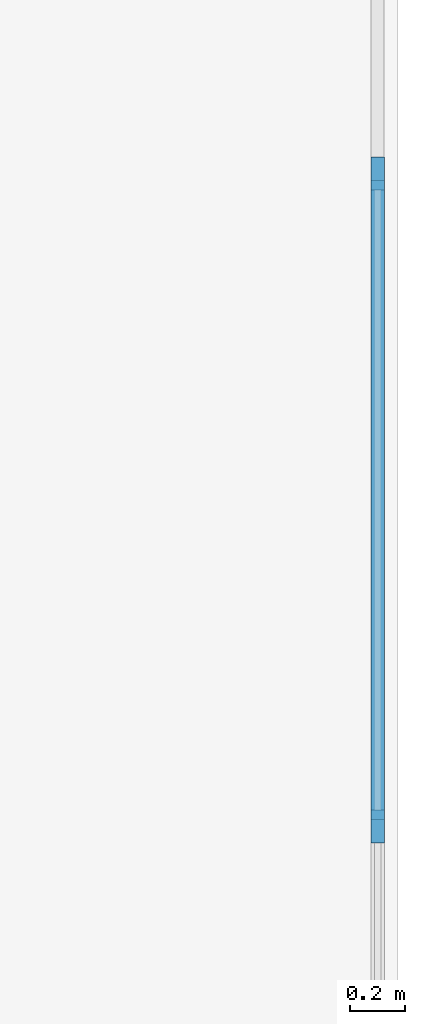
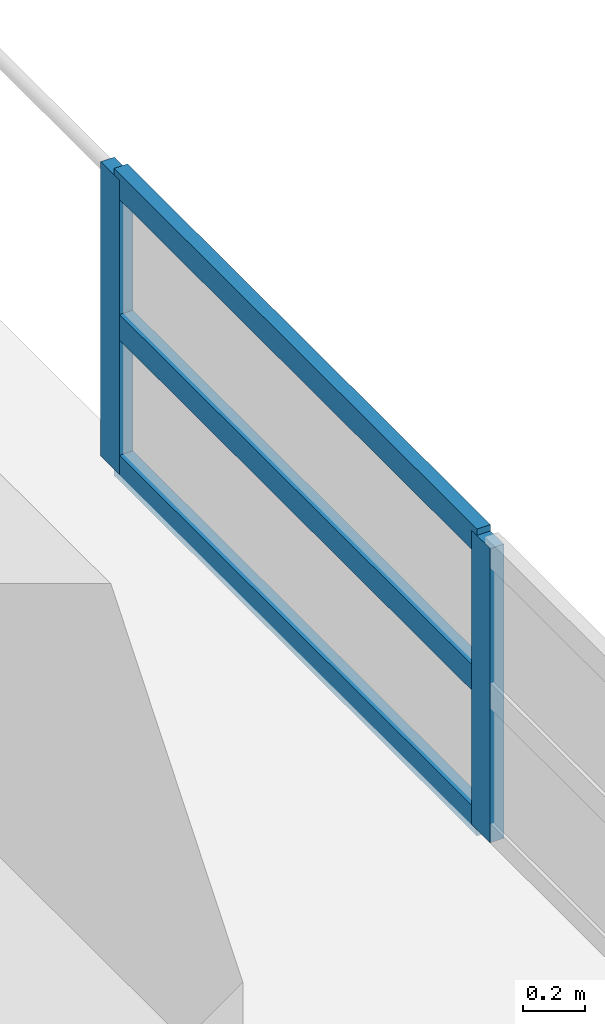
# One storey, part 10 of 17: 5 members, 1 element without a shape of its own.
"""IFC4 building model written with IfcOpenShell, lengths in metres."""

from ifc_helpers import new_model, si_unit, direction, frame, origin, origin_2d, place, context, subcontext, project, spatial, rectangle, extrude, source, transform, mapped, material, layer, layer_set, material_profile, profile_set, type_object, element, aggregate, save


model = new_model("IFC4")

# Units and contexts
model_context = context("Model", 3, precision=1e-05, world=origin(), true_north=direction((0.0, 1.0)))
body_context = subcontext(model_context, "Body", "Model", "MODEL_VIEW")
ifc_project = project(units=[si_unit("LENGTHUNIT", "METRE"), si_unit("AREAUNIT", "SQUARE_METRE"), si_unit("VOLUMEUNIT", "CUBIC_METRE"), si_unit("PLANEANGLEUNIT", "RADIAN"), si_unit("MASSUNIT", "GRAM", prefix="KILO")], contexts=[model_context])

# Site, building, storey
site_placement = place(None, origin())
site = spatial("IfcSite", under=ifc_project, at=site_placement, CompositionType="ELEMENT")
building_placement = place(site_placement, origin())
building = spatial("IfcBuilding", under=site, at=building_placement, Name="Saffron Iwan Residences", CompositionType="ELEMENT")
storey_placement = place(building_placement, frame((0.0, 0.0, 274.5)))
storey = spatial("IfcBuildingStorey", under=building, at=storey_placement, Name="L74", CompositionType="ELEMENT", Elevation=274.5)

# Curtain wall, members
ifc_material_1 = material(Name="Clear glass, laminated double glazed", Category="glass")
ifc_layer = layer(ifc_material_1, 0.10009765625)
ifc_layer_set = layer_set([ifc_layer], Name="Clear glass, laminated double glazed")
curtain_wall_type = type_object("IfcCurtainWallType", Name="CW-F ROOF TERRACE GLAZED GUARD", PredefinedType="NOTDEFINED", material=ifc_layer_set)
curtain_wall_placement = place(storey_placement, origin())
curtain_wall = element("IfcCurtainWall", 1, at=curtain_wall_placement, inside=storey, type_object=curtain_wall_type, Name="Glazed terrace guard F2.4", PredefinedType="NOTDEFINED")
ifc_material_2 = material(Name="Aluminium 6063-T6", Category="aluminium")
ifc_material_profile_1 = material_profile(ifc_material_2, rectangle(XDim=0.050048828125, YDim=0.1201171875, at=origin_2d()), Name="CW-F MULLION 50 x 120")
ifc_profile_set_1 = profile_set([ifc_material_profile_1], Name="Aluminium 6063-T6")
member_type_1 = type_object("IfcMemberType", Name="CW-F MULLION 50 x 120", PredefinedType="MULLION", material=ifc_profile_set_1)
shared_shape_1 = source(origin(), body_context, "Body", "SweptSolid", [
    extrude(rectangle(XDim=0.050048828125, YDim=0.1201171875, at=origin_2d()), origin(), (0.0, 0.0, 1.0), 1.14990234375),
])
member_1_placement = place(storey_placement, frame((82.324951171875, 57.60009765625, 0.0), z_axis=(0.0, 0.0, 1.0), x_axis=(-1.0, 0.0, 0.0)))
member_1 = element("IfcMember", 2, at=member_1_placement, type_object=member_type_1, Name="CW-F mullion 5", PredefinedType="MULLION", context=body_context, shape_type="MappedRepresentation", body=[
    mapped(shared_shape_1, transform((0.0, 0.0, 0.0))),
])
member_2_placement = place(storey_placement, frame((82.324951171875, 59.97509765625, 0.0), z_axis=(0.0, 0.0, 1.0), x_axis=(-1.0, 0.0, 0.0)))
member_2 = element("IfcMember", 3, at=member_2_placement, type_object=member_type_1, Name="CW-F mullion 6", PredefinedType="MULLION", context=body_context, shape_type="MappedRepresentation", body=[
    mapped(shared_shape_1, transform((0.0, 0.0, 0.0))),
])
ifc_material_profile_2 = material_profile(ifc_material_2, rectangle(XDim=0.050048828125, YDim=0.10009765625, at=origin_2d()), Name="CW-F TRANSOM 50 x 100")
ifc_profile_set_2 = profile_set([ifc_material_profile_2], Name="Aluminium 6063-T6")
member_type_2 = type_object("IfcMemberType", Name="CW-F TRANSOM 50 x 100", PredefinedType="USERDEFINED", material=ifc_profile_set_2)
shared_shape_2 = source(origin(), body_context, "Body", "SweptSolid", [
    extrude(rectangle(XDim=0.050048828125, YDim=0.10009765625, at=origin_2d()), origin(), (0.0, 0.0, 1.0), 2.324951171875),
])
member_3_placement = place(storey_placement, frame((82.324951171875, 57.625, 0.02490234375), z_axis=(0.0, 1.0, 0.0), x_axis=(-1.0, 0.0, 0.0)))
member_3 = element("IfcMember", 4, at=member_3_placement, type_object=member_type_2, Name="CW-F transom 5.1", ObjectType="TRANSOM", PredefinedType="USERDEFINED", context=body_context, shape_type="MappedRepresentation", body=[
    mapped(shared_shape_2, transform((0.0, 0.0, 0.0))),
])
member_4_placement = place(storey_placement, frame((82.324951171875, 57.625, 0.574951171875), z_axis=(0.0, 1.0, 0.0), x_axis=(-1.0, 0.0, 0.0)))
member_4 = element("IfcMember", 5, at=member_4_placement, type_object=member_type_2, Name="CW-F transom 5.2", ObjectType="TRANSOM", PredefinedType="USERDEFINED", context=body_context, shape_type="MappedRepresentation", body=[
    mapped(shared_shape_2, transform((0.0, 0.0, 0.0))),
])
member_5_placement = place(storey_placement, frame((82.324951171875, 57.625, 1.125), z_axis=(0.0, 1.0, 0.0), x_axis=(-1.0, 0.0, 0.0)))
member_5 = element("IfcMember", 6, at=member_5_placement, type_object=member_type_2, Name="CW-F transom 5.3", ObjectType="TRANSOM", PredefinedType="USERDEFINED", context=body_context, shape_type="MappedRepresentation", body=[
    mapped(shared_shape_2, transform((0.0, 0.0, 0.0))),
])
aggregate(curtain_wall, [member_1, member_2, member_3, member_4, member_5])

save(model, "model.ifc")
